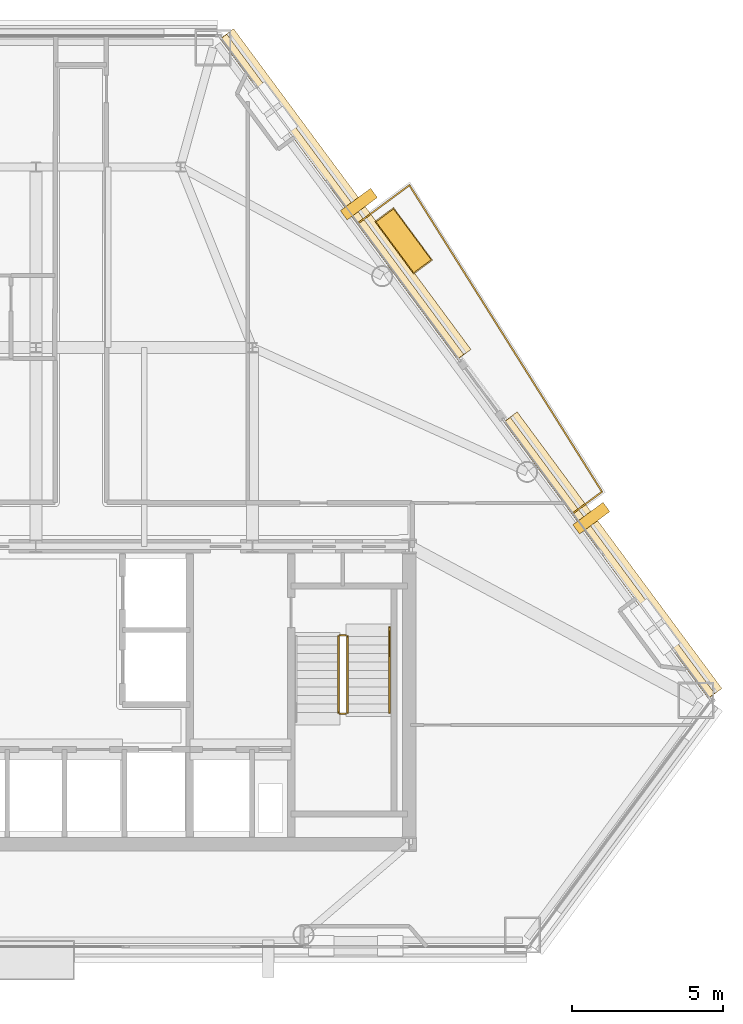
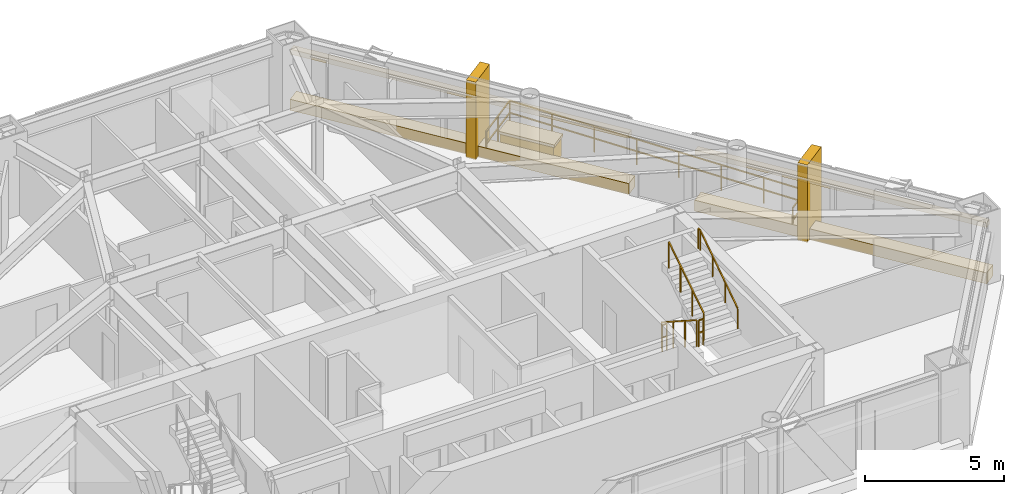
# One storey, part 13 of 13: 8 coverings, 6 railings.
"""IFC4 building model written with IfcOpenShell, lengths in metres."""

from ifc_helpers import new_model, si_unit, direction, frame, origin, origin_2d, place, context, subcontext, project, spatial, rectangle, extrude, material, layer, layer_set, type_object, element, save


model = new_model("IFC4")

# Units and contexts
model_context = context("Model", 3, precision=1e-05, world=origin(), true_north=direction((0.0, 1.0)))
body_context = subcontext(model_context, "Body", "Model", "MODEL_VIEW")
ifc_project = project(units=[si_unit("LENGTHUNIT", "METRE"), si_unit("AREAUNIT", "SQUARE_METRE"), si_unit("VOLUMEUNIT", "CUBIC_METRE"), si_unit("PLANEANGLEUNIT", "RADIAN"), si_unit("MASSUNIT", "GRAM", prefix="KILO")], contexts=[model_context])

# Site, building, storey
site_placement = place(None, origin())
site = spatial("IfcSite", under=ifc_project, at=site_placement, CompositionType="ELEMENT")
building_placement = place(site_placement, origin())
building = spatial("IfcBuilding", under=site, at=building_placement, Name="Talgorran Terracotta Tower", CompositionType="ELEMENT")
storey_placement = place(building_placement, frame((0.0, 0.0, 99.60009765625)))
storey = spatial("IfcBuildingStorey", under=building, at=storey_placement, Name="L25", CompositionType="ELEMENT", Elevation=99.60009765625)

# Coverings
ifc_material_1 = material(Name="Kiln-Fired Terracotta Ochre Ceramic", Category="masonry")
ifc_layer_1 = layer(ifc_material_1, 0.179931640625, Name="COV_BAGUETTE_TERRACOTTA_SCREEN")
ifc_layer_set_1 = layer_set([ifc_layer_1], Name="Kiln-Fired Terracotta Ochre Ceramic")
covering_type_1 = type_object("IfcCoveringType", Name="COV_BAGUETTE_TERRACOTTA_SCREEN", PredefinedType="CLADDING", material=ifc_layer_set_1)
covering_1_placement = place(storey_placement, frame((19.05224609375, -4.581298828125, 2.41015625), z_axis=(0.0, 0.0, 1.0), x_axis=(-0.594906963183, 0.803794566513, 0.0)))
element("IfcCovering", 1, at=covering_1_placement, inside=storey, type_object=covering_type_1, Name="L25 Terracotta Baguette Solar Screen Assembly F40", PredefinedType="CLADDING", context=body_context, shape_type="SweptSolid", body=[
    extrude(rectangle(XDim=11.412109375, YDim=0.260009765625, at=origin_2d()), origin(), (0.0, 0.0, 1.0), 0.219970703125),
])
covering_2_placement = place(storey_placement, frame((10.17431640625, 7.414306640625, 2.41015625), z_axis=(0.0, 0.0, 1.0), x_axis=(-0.594906963183, 0.803794566513, 0.0)))
element("IfcCovering", 2, at=covering_2_placement, inside=storey, type_object=covering_type_1, Name="L25 Terracotta Baguette Solar Screen Assembly F41", PredefinedType="CLADDING", context=body_context, shape_type="SweptSolid", body=[
    extrude(rectangle(XDim=13.23486328125, YDim=0.260009765625, at=origin_2d()), origin(), (0.0, 0.0, 1.0), 0.219970703125),
])
ifc_material_2 = material(Name="Honed Limestone and Terracotta Planter", Category="masonry")
ifc_layer_2 = layer(ifc_material_2, 0.1201171875, Name="COV_PLANTER_BOX")
ifc_layer_set_2 = layer_set([ifc_layer_2], Name="Honed Limestone and Terracotta Planter")
covering_type_2 = type_object("IfcCoveringType", Name="COV_PLANTER_BOX", PredefinedType="CLADDING", material=ifc_layer_set_2)
covering_3_placement = place(storey_placement, frame((12.2177734375, 5.947509765625, -0.02001953125), z_axis=(0.0, 0.0, 1.0), x_axis=(-0.594906963183, 0.803794566513, 0.0)))
element("IfcCovering", 3, at=covering_3_placement, inside=storey, type_object=covering_type_2, Name="L25 Staggered Balcony Planter Box BAL-NE", PredefinedType="CLADDING", context=body_context, shape_type="SweptSolid", body=[
    extrude(rectangle(XDim=2.10009765625, YDim=0.719970703125, at=origin_2d()), origin(), (0.0, 0.0, 1.0), 0.860107421875),
])
ifc_material_3 = material(Name="Kiln-Fired Terracotta Planter Rim", Category="masonry")
ifc_layer_3 = layer(ifc_material_3, 0.10009765625, Name="COV_PLANTER_RIM")
ifc_layer_set_3 = layer_set([ifc_layer_3], Name="Kiln-Fired Terracotta Planter Rim")
covering_type_3 = type_object("IfcCoveringType", Name="COV_PLANTER_RIM", PredefinedType="CLADDING", material=ifc_layer_set_3)
covering_4_placement = place(storey_placement, frame((12.2177734375, 5.947509765625, 0.7998046875), z_axis=(0.0, 0.0, 1.0), x_axis=(-0.594906963183, 0.803794566513, 0.0)))
element("IfcCovering", 4, at=covering_4_placement, inside=storey, type_object=covering_type_3, Name="L25 Balcony Planter Terracotta Rim BAL-NE", PredefinedType="CLADDING", context=body_context, shape_type="SweptSolid", body=[
    extrude(rectangle(XDim=2.179931640625, YDim=0.780029296875, at=origin_2d()), origin(), (0.0, 0.0, 1.0), 0.1201171875),
])
ifc_material_4 = material(Name="Honed Limestone Cladding", Category="masonry")
ifc_layer_4 = layer(ifc_material_4, 0.094970703125, Name="COV_PORTAL_LIME")
ifc_layer_set_4 = layer_set([ifc_layer_4], Name="Honed Limestone Cladding")
covering_type_4 = type_object("IfcCoveringType", Name="COV_PORTAL_LIME", PredefinedType="CLADDING", material=ifc_layer_set_4)
covering_5_placement = place(storey_placement, frame((18.45263671875, -3.2666015625, -0.050048828125), z_axis=(0.0, 0.0, 1.0), x_axis=(-0.594906963183, 0.803794566513, 0.0)))
element("IfcCovering", 5, at=covering_5_placement, inside=storey, type_object=covering_type_4, Name="L25 White Striped Portal Fin F3-1", PredefinedType="CLADDING", context=body_context, shape_type="SweptSolid", body=[
    extrude(rectangle(XDim=0.3798828125, YDim=1.25, at=origin_2d()), origin(), (0.0, 0.0, 1.0), 3.39990234375),
])
ifc_material_5 = material(Name="Kiln-Fired Terracotta Cladding", Category="masonry")
ifc_layer_5 = layer(ifc_material_5, 0.090087890625, Name="COV_PORTAL_TERRA")
ifc_layer_set_5 = layer_set([ifc_layer_5], Name="Kiln-Fired Terracotta Cladding")
covering_type_5 = type_object("IfcCoveringType", Name="COV_PORTAL_TERRA", PredefinedType="CLADDING", material=ifc_layer_set_5)
covering_6_placement = place(storey_placement, frame((19.164794921875, -4.497802734375, -0.0400390625), z_axis=(0.0, 0.0, 1.0), x_axis=(-0.594906963183, 0.803794566513, 0.0)))
element("IfcCovering", 6, at=covering_6_placement, inside=storey, type_object=covering_type_5, Name="L25 Striped Postmodern Portal Cladding Band F40", PredefinedType="CLADDING", context=body_context, shape_type="SweptSolid", body=[
    extrude(rectangle(XDim=11.43212890625, YDim=0.56005859375, at=origin_2d()), origin(), (0.0, 0.0, 1.0), 0.47998046875),
])
covering_7_placement = place(storey_placement, frame((10.28662109375, 7.49755859375, -0.0400390625), z_axis=(0.0, 0.0, 1.0), x_axis=(-0.594906963183, 0.803794566513, 0.0)))
element("IfcCovering", 7, at=covering_7_placement, inside=storey, type_object=covering_type_5, Name="L25 Striped Postmodern Portal Cladding Band F41", PredefinedType="CLADDING", context=body_context, shape_type="SweptSolid", body=[
    extrude(rectangle(XDim=13.2548828125, YDim=0.56005859375, at=origin_2d()), origin(), (0.0, 0.0, 1.0), 0.47998046875),
])
covering_8_placement = place(storey_placement, frame((10.73095703125, 7.16650390625, -0.050048828125), z_axis=(0.0, 0.0, 1.0), x_axis=(-0.594906963183, 0.803794566513, 0.0)))
element("IfcCovering", 8, at=covering_8_placement, inside=storey, type_object=covering_type_5, Name="L25 Terracotta Striped Portal Fin F3-2", PredefinedType="CLADDING", context=body_context, shape_type="SweptSolid", body=[
    extrude(rectangle(XDim=0.3798828125, YDim=1.25, at=origin_2d()), origin(), (0.0, 0.0, 1.0), 3.39990234375),
])

# Railings
ifc_material_6 = material(Name="Laminated Glass and Stainless Steel 316", Category="steel")
railing_type_1 = type_object("IfcRailingType", Name="RL_BALCONY_1150", PredefinedType="BALUSTRADE", material=ifc_material_6)
railing_1_placement = place(storey_placement, frame((17.85302734375, -3.095458984375, 0.0)))
element("IfcRailing", 9, at=railing_1_placement, inside=storey, type_object=railing_type_1, Name="RL-L25-BAL-BAL-NE", PredefinedType="BALUSTRADE", context=body_context, shape_type="SweptSolid", body=[
    extrude(rectangle(XDim=0.048095703125, YDim=0.048095703125, at=origin_2d()), frame((0.0, 0.0, 1.1259765625), z_axis=(0.803808467745, 0.594888180401, 0.0), x_axis=(-0.594888180401, 0.803808467745, 0.0)), (0.0, 0.0, 1.0), 1.187255859375),
    extrude(rectangle(XDim=0.048095703125, YDim=0.048095703125, at=origin_2d()), frame((0.0, 0.0, 0.597900390625), z_axis=(0.803808467745, 0.594888180401, 0.0), x_axis=(-0.594888180401, 0.803808467745, 0.0)), (0.0, 0.0, 1.0), 1.187255859375),
    extrude(rectangle(XDim=0.048095703125, YDim=0.048095703125, at=origin_2d()), frame((0.954345703125, 0.706298828125, 1.1259765625), z_axis=(-0.531986519422, 0.846752822938, 0.0), x_axis=(-0.846752822938, -0.531986519422, 0.0)), (0.0, 0.0, 1.0), 12.026123046875),
    extrude(rectangle(XDim=0.048095703125, YDim=0.048095703125, at=origin_2d()), frame((0.954345703125, 0.706298828125, 0.597900390625), z_axis=(-0.531986519422, 0.846752822938, 0.0), x_axis=(-0.846752822938, -0.531986519422, 0.0)), (0.0, 0.0, 1.0), 12.026123046875),
    extrude(rectangle(XDim=0.048095703125, YDim=0.048095703125, at=origin_2d()), frame((-5.443359375, 10.889404296875, 1.1259765625), z_axis=(-0.803787489943, -0.594916524406, 0.0), x_axis=(0.594916524406, -0.803787489943, 0.0)), (0.0, 0.0, 1.0), 2.102783203125),
    extrude(rectangle(XDim=0.048095703125, YDim=0.048095703125, at=origin_2d()), frame((-5.443359375, 10.889404296875, 0.597900390625), z_axis=(-0.803787489943, -0.594916524406, 0.0), x_axis=(0.594916524406, -0.803787489943, 0.0)), (0.0, 0.0, 1.0), 2.102783203125),
    extrude(rectangle(XDim=0.0419921875, YDim=0.0419921875, at=origin_2d()), origin(), (0.0, 0.0, 1.0), 1.101806640625),
    extrude(rectangle(XDim=0.0419921875, YDim=0.0419921875, at=origin_2d()), frame((0.954345703125, 0.706298828125, 0.0)), (0.0, 0.0, 1.0), 1.101806640625),
    extrude(rectangle(XDim=0.0419921875, YDim=0.0419921875, at=origin_2d()), frame((0.040283203125, 2.1611328125, 0.0)), (0.0, 0.0, 1.0), 1.101806640625),
    extrude(rectangle(XDim=0.0419921875, YDim=0.0419921875, at=origin_2d()), frame((-0.87353515625, 3.61572265625, 0.0)), (0.0, 0.0, 1.0), 1.101806640625),
    extrude(rectangle(XDim=0.0419921875, YDim=0.0419921875, at=origin_2d()), frame((-1.78759765625, 5.070556640625, 0.0)), (0.0, 0.0, 1.0), 1.101806640625),
    extrude(rectangle(XDim=0.0419921875, YDim=0.0419921875, at=origin_2d()), frame((-2.701416015625, 6.525146484375, 0.0)), (0.0, 0.0, 1.0), 1.101806640625),
    extrude(rectangle(XDim=0.0419921875, YDim=0.0419921875, at=origin_2d()), frame((-3.615478515625, 7.97998046875, 0.0)), (0.0, 0.0, 1.0), 1.101806640625),
    extrude(rectangle(XDim=0.0419921875, YDim=0.0419921875, at=origin_2d()), frame((-4.529296875, 9.4345703125, 0.0)), (0.0, 0.0, 1.0), 1.101806640625),
    extrude(rectangle(XDim=0.0419921875, YDim=0.0419921875, at=origin_2d()), frame((-5.443359375, 10.889404296875, 0.0)), (0.0, 0.0, 1.0), 1.101806640625),
    extrude(rectangle(XDim=0.0419921875, YDim=0.0419921875, at=origin_2d()), frame((-6.28857421875, 10.263916015625, 0.0)), (0.0, 0.0, 1.0), 1.101806640625),
    extrude(rectangle(XDim=0.0419921875, YDim=0.0419921875, at=origin_2d()), frame((-7.133544921875, 9.638427734375, 0.0)), (0.0, 0.0, 1.0), 1.101806640625),
])
ifc_material_7 = material(Name="Steel S355 (300PLUS)", Category="steel")
railing_type_2 = type_object("IfcRailingType", Name="RL_HANDRAIL_920", PredefinedType="HANDRAIL", material=ifc_material_7)
railing_2_placement = place(storey_placement, frame((11.75, -9.719970703125, 1.97998046875)))
element("IfcRailing", 10, at=railing_2_placement, inside=storey, type_object=railing_type_2, Name="L25 ST-02 stair handrail 2", PredefinedType="HANDRAIL", context=body_context, shape_type="SweptSolid", body=[
    extrude(rectangle(XDim=0.048095703125, YDim=0.048095703125, at=origin_2d()), frame((0.0, 0.0, 0.89599609375), z_axis=(0.0, 0.832073444223, 0.554665469827), x_axis=(-1.0, 0.0, 0.0)), (0.0, 0.0, 1.0), 3.244873046875),
    extrude(rectangle(XDim=0.048095703125, YDim=0.048095703125, at=origin_2d()), frame((0.0, 2.699951171875, 2.69580078125), z_axis=(0.0, 1.0, 0.0), x_axis=(-1.0, 0.0, 0.0)), (0.0, 0.0, 1.0), 0.1201171875),
    extrude(rectangle(XDim=0.0419921875, YDim=0.0419921875, at=origin_2d()), origin(), (0.0, 0.0, 1.0), 0.871826171875),
    extrude(rectangle(XDim=0.0419921875, YDim=0.0419921875, at=origin_2d()), frame((0.0, 0.89990234375, 0.599853515625)), (0.0, 0.0, 1.0), 0.871826171875),
    extrude(rectangle(XDim=0.0419921875, YDim=0.0419921875, at=origin_2d()), frame((0.0, 1.800048828125, 1.199951171875)), (0.0, 0.0, 1.0), 0.871826171875),
    extrude(rectangle(XDim=0.0419921875, YDim=0.0419921875, at=origin_2d()), frame((0.0, 2.699951171875, 1.7998046875)), (0.0, 0.0, 1.0), 0.871826171875),
    extrude(rectangle(XDim=0.0419921875, YDim=0.0419921875, at=origin_2d()), frame((0.0, 2.820068359375, 1.7998046875)), (0.0, 0.0, 1.0), 0.871826171875),
])
railing_type_3 = type_object("IfcRailingType", Name="RL_STAIR_GUARD", PredefinedType="GUARDRAIL", material=ifc_material_7)
railing_3_placement = place(storey_placement, frame((10.050048828125, -7.199951171875, 0.179931640625)))
element("IfcRailing", 11, at=railing_3_placement, inside=storey, type_object=railing_type_3, Name="L25 ST-02 stair guard 1", PredefinedType="GUARDRAIL", context=body_context, shape_type="SweptSolid", body=[
    extrude(rectangle(XDim=0.048095703125, YDim=0.048095703125, at=origin_2d()), frame((0.0, 0.0, 1.15576171875), z_axis=(0.0, -0.841199657755, 0.540724639528), x_axis=(1.0, 0.0, 0.0)), (0.0, 0.0, 1.0), 2.995849609375),
    extrude(rectangle(XDim=0.0419921875, YDim=0.0419921875, at=origin_2d()), origin(), (0.0, 0.0, 1.0), 1.1318359375),
    extrude(rectangle(XDim=0.0419921875, YDim=0.0419921875, at=origin_2d()), frame((0.0, -0.840087890625, 0.5400390625)), (0.0, 0.0, 1.0), 1.1318359375),
    extrude(rectangle(XDim=0.0419921875, YDim=0.0419921875, at=origin_2d()), frame((0.0, -1.679931640625, 1.079833984375)), (0.0, 0.0, 1.0), 1.1318359375),
    extrude(rectangle(XDim=0.0419921875, YDim=0.0419921875, at=origin_2d()), frame((0.0, -2.52001953125, 1.619873046875)), (0.0, 0.0, 1.0), 1.1318359375),
])
railing_4_placement = place(storey_placement, frame((10.10009765625, -9.77001953125, 1.7998046875)))
element("IfcRailing", 12, at=railing_4_placement, inside=storey, type_object=railing_type_3, Name="L25 ST-02 stair guard 2", PredefinedType="GUARDRAIL", context=body_context, shape_type="SweptSolid", body=[
    extrude(rectangle(XDim=0.048095703125, YDim=0.048095703125, at=origin_2d()), frame((0.0, 0.0, 1.15576171875), z_axis=(1.0, 0.0, 0.0), x_axis=(0.0, 1.0, 0.0)), (0.0, 0.0, 1.0), 0.199951171875),
    extrude(rectangle(XDim=0.048095703125, YDim=0.048095703125, at=origin_2d()), frame((0.0, 0.0, 0.613525390625), z_axis=(1.0, 0.0, 0.0), x_axis=(0.0, 1.0, 0.0)), (0.0, 0.0, 1.0), 0.199951171875),
    extrude(rectangle(XDim=0.0419921875, YDim=0.0419921875, at=origin_2d()), origin(), (0.0, 0.0, 1.0), 1.1318359375),
    extrude(rectangle(XDim=0.0419921875, YDim=0.0419921875, at=origin_2d()), frame((0.199951171875, 0.0, 0.0)), (0.0, 0.0, 1.0), 1.1318359375),
])
railing_5_placement = place(storey_placement, frame((10.35009765625, -9.719970703125, 1.97998046875)))
element("IfcRailing", 13, at=railing_5_placement, inside=storey, type_object=railing_type_3, Name="L25 ST-02 stair guard 3", PredefinedType="GUARDRAIL", context=body_context, shape_type="SweptSolid", body=[
    extrude(rectangle(XDim=0.048095703125, YDim=0.048095703125, at=origin_2d()), frame((0.0, 0.0, 1.15576171875), z_axis=(0.0, 0.841199657755, 0.540724639528), x_axis=(-1.0, 0.0, 0.0)), (0.0, 0.0, 1.0), 2.995849609375),
    extrude(rectangle(XDim=0.0419921875, YDim=0.0419921875, at=origin_2d()), origin(), (0.0, 0.0, 1.0), 1.1318359375),
    extrude(rectangle(XDim=0.0419921875, YDim=0.0419921875, at=origin_2d()), frame((0.0, 0.840087890625, 0.5400390625)), (0.0, 0.0, 1.0), 1.1318359375),
    extrude(rectangle(XDim=0.0419921875, YDim=0.0419921875, at=origin_2d()), frame((0.0, 1.679931640625, 1.079833984375)), (0.0, 0.0, 1.0), 1.1318359375),
    extrude(rectangle(XDim=0.0419921875, YDim=0.0419921875, at=origin_2d()), frame((0.0, 2.52001953125, 1.619873046875)), (0.0, 0.0, 1.0), 1.1318359375),
])
railing_6_placement = place(storey_placement, frame((10.10009765625, -7.14990234375, 0.0)))
element("IfcRailing", 14, at=railing_6_placement, inside=storey, type_object=railing_type_3, Name="L25 ST-02 stair guard 4", PredefinedType="GUARDRAIL", context=body_context, shape_type="SweptSolid", body=[
    extrude(rectangle(XDim=0.048095703125, YDim=0.048095703125, at=origin_2d()), frame((0.0, 0.0, 1.15576171875), z_axis=(1.0, 0.0, 0.0), x_axis=(0.0, 1.0, 0.0)), (0.0, 0.0, 1.0), 0.199951171875),
    extrude(rectangle(XDim=0.048095703125, YDim=0.048095703125, at=origin_2d()), frame((0.0, 0.0, 0.613525390625), z_axis=(1.0, 0.0, 0.0), x_axis=(0.0, 1.0, 0.0)), (0.0, 0.0, 1.0), 0.199951171875),
    extrude(rectangle(XDim=0.0419921875, YDim=0.0419921875, at=origin_2d()), origin(), (0.0, 0.0, 1.0), 1.1318359375),
    extrude(rectangle(XDim=0.0419921875, YDim=0.0419921875, at=origin_2d()), frame((0.199951171875, 0.0, 0.0)), (0.0, 0.0, 1.0), 1.1318359375),
])

save(model, "model.ifc")
